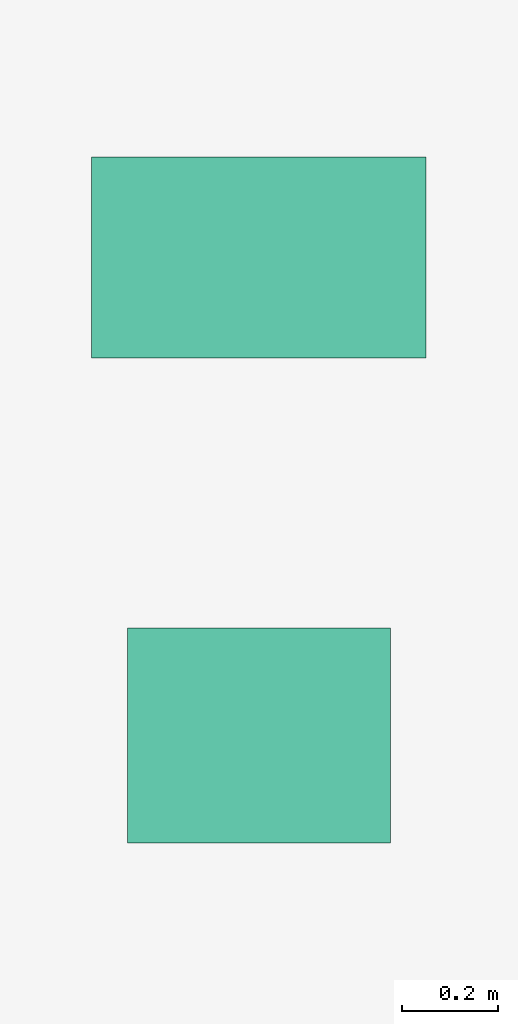
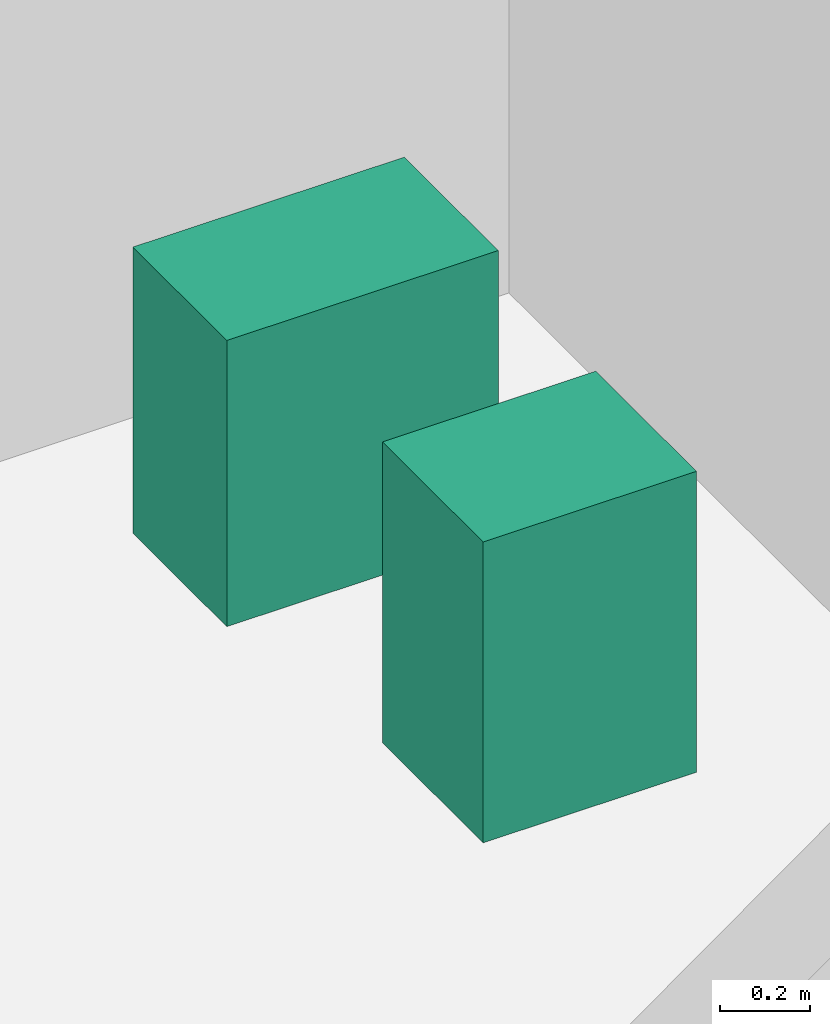
# One storey, part 22 of 22: 2 sanitary terminals.
"""IFC4 building model written with IfcOpenShell, lengths in metres."""

from ifc_helpers import new_model, si_unit, direction, frame, origin, origin_2d, place, context, subcontext, project, spatial, rectangle, extrude, source, transform, mapped, material, type_object, element, save


model = new_model("IFC4")

# Units and contexts
model_context = context("Model", 3, precision=1e-05, world=origin(), true_north=direction((0.0, 1.0)))
body_context = subcontext(model_context, "Body", "Model", "MODEL_VIEW")
ifc_project = project(units=[si_unit("LENGTHUNIT", "METRE"), si_unit("AREAUNIT", "SQUARE_METRE"), si_unit("VOLUMEUNIT", "CUBIC_METRE"), si_unit("PLANEANGLEUNIT", "RADIAN"), si_unit("MASSUNIT", "GRAM", prefix="KILO")], contexts=[model_context])

# Site, building, storey
site_placement = place(None, origin())
site = spatial("IfcSite", under=ifc_project, at=site_placement, CompositionType="ELEMENT")
building_placement = place(site_placement, origin())
building = spatial("IfcBuilding", under=site, at=building_placement, Name="Sumidabori Civic Tower", CompositionType="ELEMENT")
storey_placement = place(building_placement, frame((0.0, 0.0, 272.0)))
storey = spatial("IfcBuildingStorey", under=building, at=storey_placement, Name="L71", CompositionType="ELEMENT", Elevation=272.0)

# Sanitary terminals
ifc_material = material(Name="Vitreous Sanitary Porcelain")
sanitary_terminal_type_1 = type_object("IfcSanitaryTerminalType", Name="SN-WC-1", PredefinedType="TOILETPAN", material=ifc_material)
shared_shape_1 = source(origin(), body_context, "Body", "SweptSolid", [
    extrude(rectangle(XDim=0.699951171875, YDim=0.419921875, at=origin_2d()), origin(), (0.0, 0.0, 1.0), 0.780029296875),
])
sanitary_terminal_1_placement = place(storey_placement, frame((10.800048828125, 21.85009765625, 0.0), z_axis=(0.0, 0.0, 1.0), x_axis=(1.0, 0.0, 0.0)))
element("IfcSanitaryTerminal", 1, at=sanitary_terminal_1_placement, inside=storey, type_object=sanitary_terminal_type_1, Name="Accessible WC Pan L71", PredefinedType="TOILETPAN", context=body_context, shape_type="MappedRepresentation", body=[
    mapped(shared_shape_1, transform((0.0, 0.0, 0.0), x_axis=(1.0, 0.0, 0.0), y_axis=(0.0, 1.0, 0.0), z_axis=(0.0, 0.0, 1.0), scale=1.0)),
])
sanitary_terminal_type_2 = type_object("IfcSanitaryTerminalType", Name="SN-BAS-1", PredefinedType="WASHHANDBASIN", material=ifc_material)
shared_shape_2 = source(origin(), body_context, "Body", "SweptSolid", [
    extrude(rectangle(XDim=0.550048828125, YDim=0.449951171875, at=origin_2d()), origin(), (0.0, 0.0, 1.0), 0.820068359375),
])
sanitary_terminal_2_placement = place(storey_placement, frame((10.800048828125, 20.85009765625, 0.0), z_axis=(0.0, 0.0, 1.0), x_axis=(1.0, 0.0, 0.0)))
element("IfcSanitaryTerminal", 2, at=sanitary_terminal_2_placement, inside=storey, type_object=sanitary_terminal_type_2, Name="Accessible Basin L71", PredefinedType="WASHHANDBASIN", context=body_context, shape_type="MappedRepresentation", body=[
    mapped(shared_shape_2, transform((0.0, 0.0, 0.0), x_axis=(1.0, 0.0, 0.0), y_axis=(0.0, 1.0, 0.0), z_axis=(0.0, 0.0, 1.0), scale=1.0)),
])

save(model, "model.ifc")
